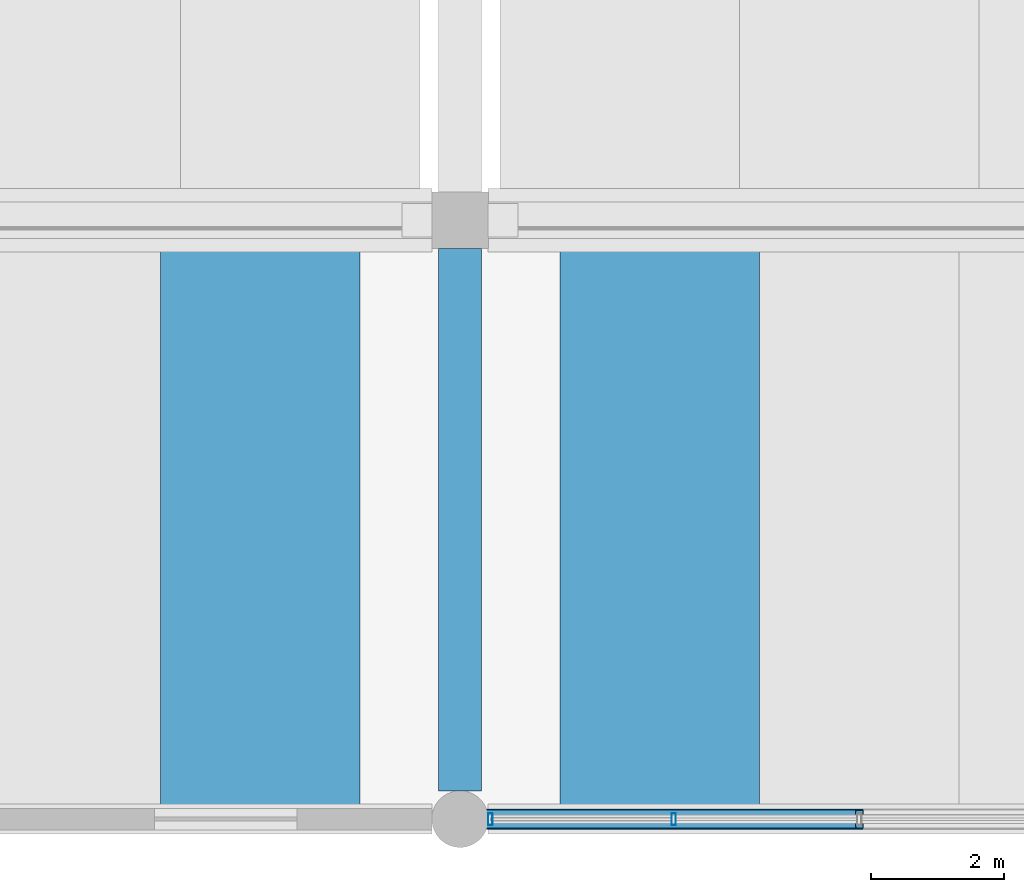
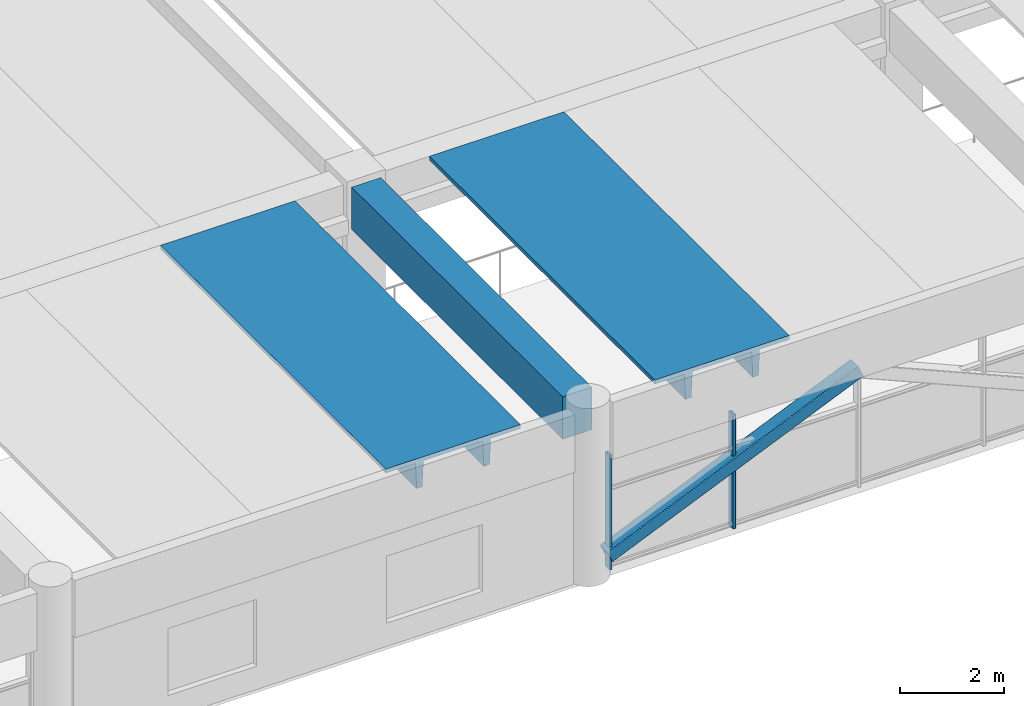
# One storey, part 6 of 50: 3 beams, 3 members, 1 element without a shape of its own.
"""IFC4 building model written with IfcOpenShell, lengths in metres."""

from ifc_helpers import new_model, si_unit, direction, frame, origin, origin_2d, place, context, subcontext, project, spatial, polyline, rectangle, hollow_rectangle, outline, extrude, material, material_profile, profile_set, type_object, element, aggregate, save


model = new_model("IFC4")

# Units and contexts
model_context = context("Model", 3, precision=1e-05, world=origin(), true_north=direction((0.0, 1.0)))
body_context = subcontext(model_context, "Body", "Model", "MODEL_VIEW")
ifc_project = project(units=[si_unit("LENGTHUNIT", "METRE"), si_unit("AREAUNIT", "SQUARE_METRE"), si_unit("VOLUMEUNIT", "CUBIC_METRE"), si_unit("PLANEANGLEUNIT", "RADIAN"), si_unit("MASSUNIT", "GRAM", prefix="KILO")], contexts=[model_context])

# Site, building, storey
site_placement = place(None, origin())
site = spatial("IfcSite", under=ifc_project, at=site_placement, CompositionType="ELEMENT")
building_placement = place(site_placement, origin())
building = spatial("IfcBuilding", under=site, at=building_placement, Name="Girod Span Mobility Hub", CompositionType="ELEMENT")
storey_placement = place(building_placement, frame((0.0, 0.0, 5.39990234375)))
storey = spatial("IfcBuildingStorey", under=building, at=storey_placement, Name="L01", CompositionType="ELEMENT", Elevation=5.39990234375)

# Beams
ifc_material_1 = material(Name="Concrete C50/60", Category="concrete")
ifc_material_profile_1 = material_profile(ifc_material_1, outline(polyline([(-1.5, 0.35009765625), (-1.5, 0.2548828125), (-0.840087890625, 0.2548828125), (-0.81494140625, -0.35009765625), (-0.68505859375, -0.35009765625), (-0.659912109375, 0.2548828125), (0.659912109375, 0.2548828125), (0.68505859375, -0.35009765625), (0.81494140625, -0.35009765625), (0.840087890625, 0.2548828125), (1.5, 0.2548828125), (1.5, 0.35009765625), (-1.5, 0.35009765625)])), Name="DT-3000X700")
ifc_profile_set_1 = profile_set([ifc_material_profile_1], Name="Concrete C50/60")
beam_type_1 = type_object("IfcBeamType", Name="BM-DT-3000X700", PredefinedType="JOIST", material=ifc_profile_set_1)
for number, where, z_axis, x_axis, name in (
    (1, (33.0, 0.02197265625, 3.690185546875), (0.0, 1.0, 0.0), (-1.0, 0.0, 0.0), "Double-Tee Deck 3/A-3 L01"),
    (2, (39.0, 0.02197265625, 3.690185546875), (0.0, 1.0, 0.0), (-1.0, 0.0, 0.0), "Double-Tee Deck 4/A-1 L01"),
):
    element("IfcBeam", number, at=place(storey_placement, frame(where, z_axis=z_axis, x_axis=x_axis)), inside=storey, type_object=beam_type_1, Name=name, PredefinedType="JOIST", context=body_context, shape_type="SweptSolid", body=[
        extrude(outline(polyline([(-1.5, 0.35009765625), (-1.5, 0.2548828125), (-0.840087890625, 0.2548828125), (-0.81494140625, -0.35009765625), (-0.68505859375, -0.35009765625), (-0.659912109375, 0.2548828125), (0.659912109375, 0.2548828125), (0.68505859375, -0.35009765625), (0.81494140625, -0.35009765625), (0.840087890625, 0.2548828125), (1.5, 0.2548828125), (1.5, 0.35009765625), (-1.5, 0.35009765625)])), origin(), (0.0, 0.0, 1.0), 8.7060546875),
    ])
ifc_material_2 = material(Name="Concrete C40/50", Category="concrete")
ifc_material_profile_2 = material_profile(ifc_material_2, rectangle(XDim=0.64990234375, YDim=1.0, at=origin_2d()), Name="TG-650X1000")
ifc_profile_set_2 = profile_set([ifc_material_profile_2], Name="Concrete C40/50")
beam_type_2 = type_object("IfcBeamType", Name="BM-TG-650X1000", PredefinedType="T_BEAM", material=ifc_profile_set_2)
beam_placement = place(storey_placement, frame((36.0, 0.422119140625, 3.5400390625), z_axis=(0.0, 1.0, 0.0), x_axis=(-1.0, 0.0, 0.0)))
element("IfcBeam", 3, at=beam_placement, inside=storey, type_object=beam_type_2, Name="Tie Girder 4/A-B L01", PredefinedType="T_BEAM", context=body_context, shape_type="SweptSolid", body=[
    extrude(rectangle(XDim=0.64990234375, YDim=1.0, at=origin_2d()), origin(), (0.0, 0.0, 1.0), 8.15576171875),
])

# Curtain wall, members
ifc_material_3 = material(Name="Thermally Broken Anodised Aluminium", Category="aluminium")
curtain_wall_type = type_object("IfcCurtainWallType", Name="CW-1115X269", PredefinedType="USERDEFINED", material=ifc_material_3)
curtain_wall_placement = place(storey_placement, origin())
curtain_wall = element("IfcCurtainWall", 4, at=curtain_wall_placement, inside=storey, type_object=curtain_wall_type, Name="Concourse Storefront CW-L01-S04 L01", ObjectType="CONCOURSE STOREFRONT", PredefinedType="USERDEFINED")
ifc_material_4 = material(Name="Thermally Broken Anodised Aluminium", Category="aluminium")
ifc_material_profile_3 = material_profile(ifc_material_4, hollow_rectangle(XDim=0.179931640625, YDim=0.06494140625, WallThickness=0.00390625, InnerFilletRadius=0.00390625, OuterFilletRadius=0.008056640625, at=origin_2d()), Name="CW-ML-65X180")
ifc_profile_set_3 = profile_set([ifc_material_profile_3], Name="Thermally Broken Anodised Aluminium")
member_type_1 = type_object("IfcMemberType", Name="CWM-ML-2", PredefinedType="MULLION", material=ifc_profile_set_3)
member_1_placement = place(storey_placement, frame((36.455078125, 0.0, 0.0), z_axis=(0.0, 0.0, 1.0), x_axis=(0.0, 1.0, 0.0)))
member_1 = element("IfcMember", 5, at=member_1_placement, type_object=member_type_1, Name="Curtain Wall Mullion CW-L01-S04-M0", PredefinedType="MULLION", context=body_context, shape_type="SweptSolid", body=[
    extrude(hollow_rectangle(XDim=0.179931640625, YDim=0.06494140625, WallThickness=0.00390625, InnerFilletRadius=0.00390625, OuterFilletRadius=0.008056640625, at=origin_2d()), origin(), (0.0, 0.0, 1.0), 2.690185546875),
])
member_2_placement = place(storey_placement, frame((39.21142578125, 0.0, 0.0), z_axis=(0.0, 0.0, 1.0), x_axis=(0.0, 1.0, 0.0)))
member_2 = element("IfcMember", 6, at=member_2_placement, type_object=member_type_1, Name="Curtain Wall Mullion CW-L01-S04-M1", PredefinedType="MULLION", context=body_context, shape_type="SweptSolid", body=[
    extrude(hollow_rectangle(XDim=0.179931640625, YDim=0.06494140625, WallThickness=0.00390625, InnerFilletRadius=0.00390625, OuterFilletRadius=0.008056640625, at=origin_2d()), origin(), (0.0, 0.0, 1.0), 2.690185546875),
])
aggregate(curtain_wall, [member_1, member_2])

# Member
ifc_material_5 = material(Name="Steel HSS A500 Grade C", Category="steel")
ifc_material_profile_4 = material_profile(ifc_material_5, hollow_rectangle(XDim=0.304931640625, YDim=0.304931640625, WallThickness=0.014892578125, InnerFilletRadius=0.014892578125, OuterFilletRadius=0.029541015625, at=origin_2d()), Name="HSS305X305X16")
ifc_profile_set_4 = profile_set([ifc_material_profile_4], Name="Steel HSS A500 Grade C")
member_type_2 = type_object("IfcMemberType", Name="MB-BR-HSS305", PredefinedType="BRACE", material=ifc_profile_set_4)
member_3_placement = place(storey_placement, frame((36.405029296875, 0.0, 0.35009765625), z_axis=(0.917828641156, 0.0, 0.396976807223), x_axis=(0.0, 1.0, 0.0)))
element("IfcMember", 7, at=member_3_placement, inside=storey, type_object=member_type_2, Name="Perimeter Chevron Brace 4/A-L L01", PredefinedType="BRACE", context=body_context, shape_type="SweptSolid", body=[
    extrude(hollow_rectangle(XDim=0.304931640625, YDim=0.304931640625, WallThickness=0.014892578125, InnerFilletRadius=0.014892578125, OuterFilletRadius=0.029541015625, at=origin_2d()), origin(), (0.0, 0.0, 1.0), 6.095947265625),
])

save(model, "model.ifc")
